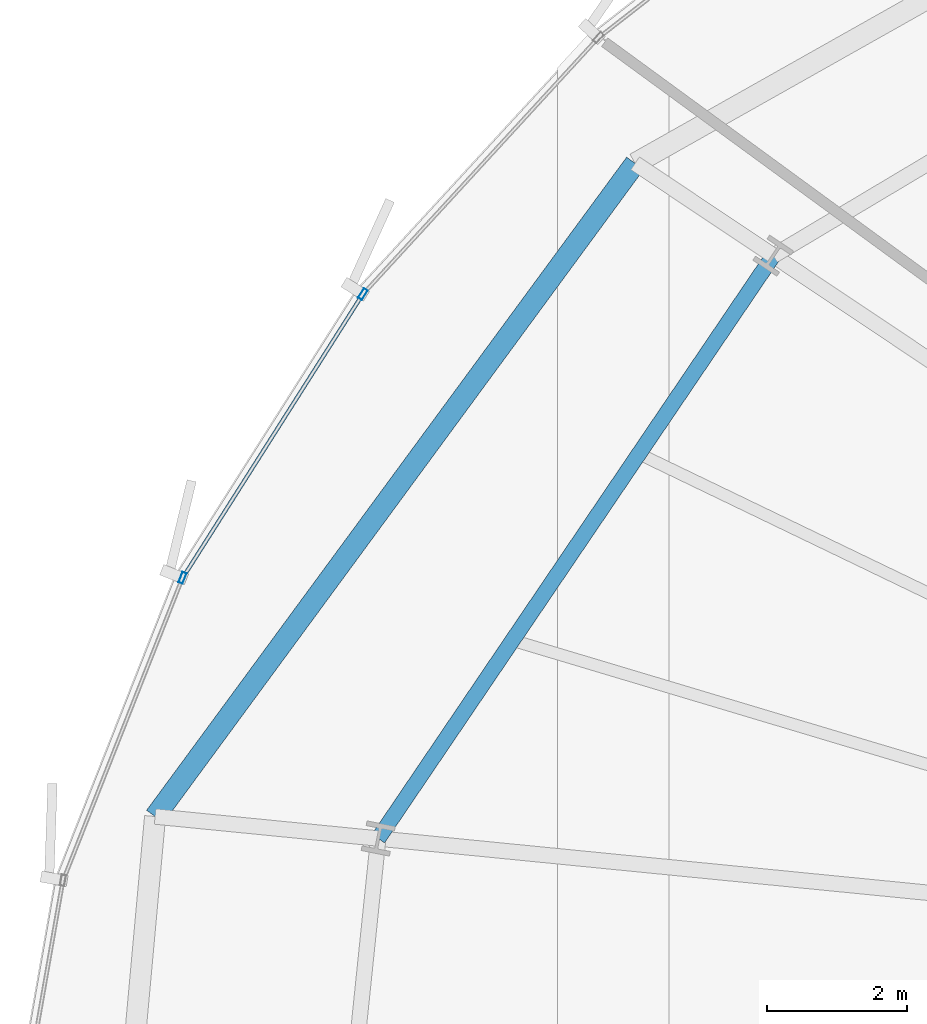
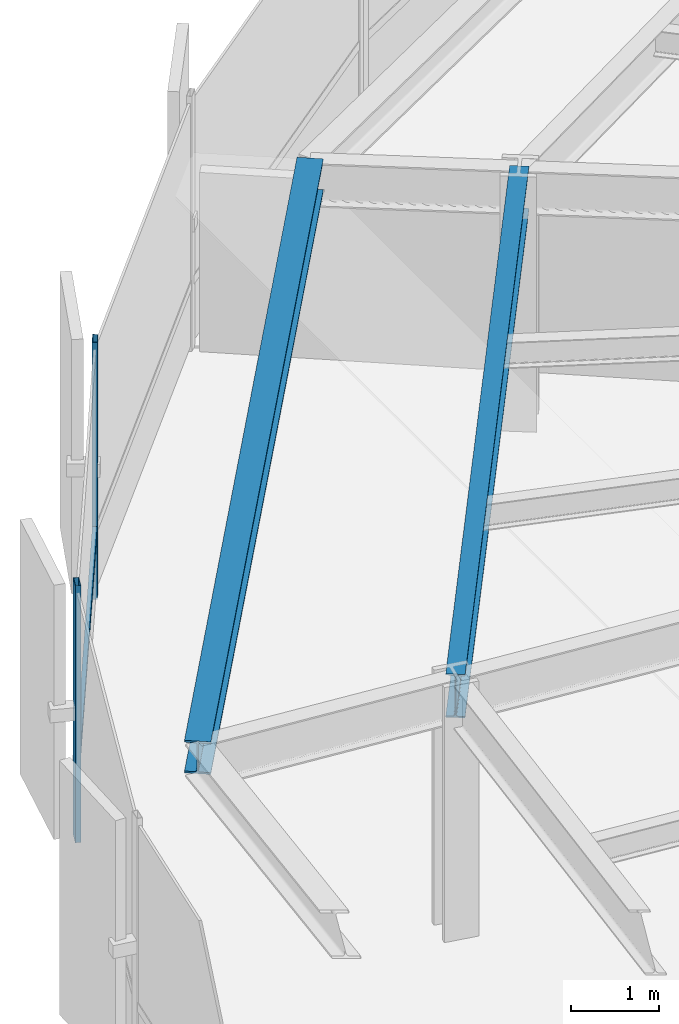
# One storey, part 18 of 38: 3 members, 2 beams, 1 element without a shape of its own.
"""IFC4 building model written with IfcOpenShell, lengths in metres."""

from ifc_helpers import new_model, si_unit, direction, frame, origin, origin_2d, place, context, subcontext, project, spatial, hollow_rectangle, i_section, extrude, source, transform, mapped, material, layer, layer_set, material_profile, profile_set, type_object, element, aggregate, save


model = new_model("IFC4")

# Units and contexts
model_context = context("Model", 3, precision=1e-05, world=origin(), true_north=direction((0.0, 1.0)))
body_context = subcontext(model_context, "Body", "Model", "MODEL_VIEW")
ifc_project = project(units=[si_unit("LENGTHUNIT", "METRE"), si_unit("AREAUNIT", "SQUARE_METRE"), si_unit("VOLUMEUNIT", "CUBIC_METRE"), si_unit("PLANEANGLEUNIT", "RADIAN"), si_unit("MASSUNIT", "GRAM", prefix="KILO"), si_unit("THERMODYNAMICTEMPERATUREUNIT", "KELVIN")], contexts=[model_context])

# Site, building, storey
site_placement = place(None, origin())
site = spatial("IfcSite", under=ifc_project, at=site_placement, CompositionType="ELEMENT")
building_placement = place(site_placement, origin())
building = spatial("IfcBuilding", under=site, at=building_placement, Name="Kethvar Cultural Tower", CompositionType="ELEMENT")
storey_placement = place(building_placement, frame((0.0, 0.0, 63.800048828125)))
storey = spatial("IfcBuildingStorey", under=building, at=storey_placement, Name="L15", CompositionType="ELEMENT", Elevation=63.800048828125)

# Beams
ifc_material_1 = material(Name="Steel S355J2", Category="steel")
ifc_material_profile_1 = material_profile(ifc_material_1, i_section(OverallWidth=0.219970703125, OverallDepth=0.60009765625, WebThickness=0.011962890625, FlangeThickness=0.01904296875, FilletRadius=0.02392578125, at=origin_2d()), Name="Steel S355J2 — IPE600")
ifc_profile_set_1 = profile_set([ifc_material_profile_1], Name="Steel S355J2 — IPE600")
beam_type_1 = type_object("IfcBeamType", Name="BM-IPE600", PredefinedType="BEAM", material=ifc_profile_set_1)
shared_shape_1 = source(origin(), body_context, "Body", "SweptSolid", [
    extrude(i_section(OverallWidth=0.219970703125, OverallDepth=0.60009765625, WebThickness=0.011962890625, FlangeThickness=0.01904296875, FilletRadius=0.02392578125, at=origin_2d()), origin(), (0.0, 0.0, 1.0), 10.048583984375),
])
beam_1_placement = place(storey_placement, frame((26.6845703125, 41.24072265625, 3.248046875), z_axis=(-0.561025415443, -0.827798576483, 0.0), x_axis=(0.827798576483, -0.561025415443, 0.0)))
element("IfcBeam", 1, at=beam_1_placement, inside=storey, type_object=beam_type_1, Name="L15 Column Ring Tie Beam CR-07", PredefinedType="BEAM", context=body_context, shape_type="MappedRepresentation", body=[
    mapped(shared_shape_1, transform((0.0, 0.0, 0.0), scale=1.0)),
])
ifc_material_profile_2 = material_profile(ifc_material_1, i_section(OverallWidth=0.300048828125, OverallDepth=0.449951171875, WebThickness=0.013916015625, FlangeThickness=0.02587890625, FilletRadius=0.027099609375, at=origin_2d()), Name="Steel S355J2 — HEB450")
ifc_profile_set_2 = profile_set([ifc_material_profile_2], Name="Steel S355J2 — HEB450")
beam_type_2 = type_object("IfcBeamType", Name="BM-SP450", PredefinedType="SPANDREL", material=ifc_profile_set_2)
shared_shape_2 = source(origin(), body_context, "Body", "SweptSolid", [
    extrude(i_section(OverallWidth=0.300048828125, OverallDepth=0.449951171875, WebThickness=0.013916015625, FlangeThickness=0.02587890625, FilletRadius=0.027099609375, at=origin_2d()), origin(), (0.0, 0.0, 1.0), 11.56787109375),
])
beam_2_placement = place(storey_placement, frame((24.713623046875, 42.5576171875, 3.322998046875), z_axis=(-0.592252648071, -0.805752319794, 0.0), x_axis=(0.805752319794, -0.592252648071, 0.0)))
element("IfcBeam", 2, at=beam_2_placement, inside=storey, type_object=beam_type_2, Name="L15 Perimeter Spandrel Beam SP-07", PredefinedType="SPANDREL", context=body_context, shape_type="MappedRepresentation", body=[
    mapped(shared_shape_2, transform((0.0, 0.0, 0.0), scale=1.0)),
])

# Curtain wall, members
ifc_material_2 = material(Name="Aluminium 6063-T6", Category="aluminium")
ifc_layer = layer(ifc_material_2, 0.179931640625, Name="Aluminium 6063-T6", Category="aluminium")
ifc_layer_set = layer_set([ifc_layer], Name="Aluminium 6063-T6 (180 mm)")
curtain_wall_type = type_object("IfcCurtainWallType", Name="CW-SYS-02-Z1", PredefinedType="NOTDEFINED", material=ifc_layer_set)
curtain_wall_placement = place(storey_placement, origin())
curtain_wall = element("IfcCurtainWall", 3, at=curtain_wall_placement, inside=storey, type_object=curtain_wall_type, Name="L15 Curtain Wall Run 03", PredefinedType="NOTDEFINED")
ifc_material_profile_3 = material_profile(ifc_material_2, hollow_rectangle(XDim=0.06494140625, YDim=0.159912109375, WallThickness=0.0048828125, at=origin_2d()), Name="Aluminium 6063-T6 — RHS160x65x5")
ifc_profile_set_3 = profile_set([ifc_material_profile_3], Name="Aluminium 6063-T6 — RHS160x65x5")
member_type_1 = type_object("IfcMemberType", Name="CW-SYS-02-Z1-MUL", PredefinedType="MULLION", material=ifc_profile_set_3)
shared_shape_3 = source(origin(), body_context, "Body", "SweptSolid", [
    extrude(hollow_rectangle(XDim=0.06494140625, YDim=0.159912109375, WallThickness=0.0048828125, at=origin_2d()), origin(), (0.0, 0.0, 1.0), 3.550048828125),
])
member_1_placement = place(storey_placement, frame((20.8271484375, 40.692138671875, 0.0), z_axis=(0.0, 0.0, 1.0), x_axis=(0.844309221104, -0.535856267257, 0.0)))
member_1 = element("IfcMember", 4, at=member_1_placement, type_object=member_type_1, Name="CW-L15-R03 Mullion 3", PredefinedType="MULLION", context=body_context, shape_type="MappedRepresentation", body=[
    mapped(shared_shape_3, transform((0.0, 0.0, 0.0), scale=1.0)),
])
member_2_placement = place(storey_placement, frame((18.254150390625, 36.642333984375, 0.0), z_axis=(0.0, 0.0, 1.0), x_axis=(0.930212729981, -0.367020812736, 0.0)))
member_2 = element("IfcMember", 5, at=member_2_placement, type_object=member_type_1, Name="CW-L15-R03 Mullion 4", PredefinedType="MULLION", context=body_context, shape_type="MappedRepresentation", body=[
    mapped(shared_shape_3, transform((0.0, 0.0, 0.0), scale=1.0)),
])
ifc_material_profile_4 = material_profile(ifc_material_2, hollow_rectangle(XDim=0.054931640625, YDim=0.1201171875, WallThickness=0.00390625, at=origin_2d()), Name="Aluminium 6063-T6 — RHS120x55x4")
ifc_profile_set_4 = profile_set([ifc_material_profile_4], Name="Aluminium 6063-T6 — RHS120x55x4")
member_type_2 = type_object("IfcMemberType", Name="CW-SYS-02-Z1-TRN", PredefinedType="USERDEFINED", material=ifc_profile_set_4)
shared_shape_4 = source(origin(), body_context, "Body", "SweptSolid", [
    extrude(hollow_rectangle(XDim=0.054931640625, YDim=0.1201171875, WallThickness=0.00390625, at=origin_2d()), origin(), (0.0, 0.0, 1.0), 4.726806640625),
])
member_3_placement = place(storey_placement, frame((20.802001953125, 40.652587890625, 0.949951171875), z_axis=(-0.535859135256, -0.84430740087, 0.0), x_axis=(0.84430740087, -0.535859135256, 0.0)))
member_3 = element("IfcMember", 6, at=member_3_placement, type_object=member_type_2, Name="CW-L15-R03 Transom 3", ObjectType="TRANSOM", PredefinedType="USERDEFINED", context=body_context, shape_type="MappedRepresentation", body=[
    mapped(shared_shape_4, transform((0.0, 0.0, 0.0), scale=1.0)),
])
aggregate(curtain_wall, [member_1, member_2, member_3])

save(model, "model.ifc")
